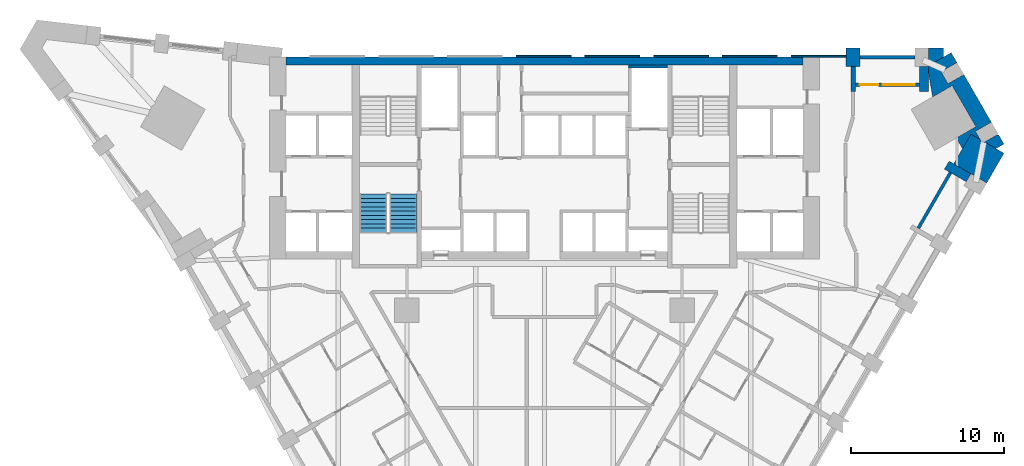
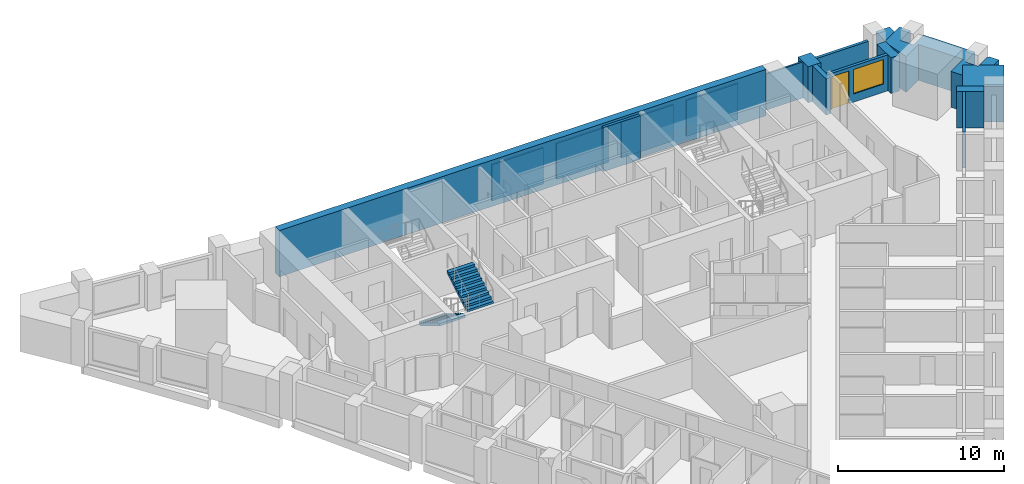
# One storey, part 10 of 12: 18 walls, 2 stair flights, 1 door, 1 window, 2 openings, 1 element without a shape of its own.
"""IFC4 building model written with IfcOpenShell, lengths in metres."""

from ifc_helpers import new_model, si_unit, direction, frame, frame_2d, origin, place, context, subcontext, project, spatial, polyline, rectangle, outline, extrude, faceted_brep, source, transform, mapped, material, layer, layer_set, type_object, element, fill, aggregate, save


model = new_model("IFC4")

# Units and contexts
model_context = context("Model", 3, precision=1e-05, world=origin(), true_north=direction((0.0, 1.0)))
body_context = subcontext(model_context, "Body", "Model", "MODEL_VIEW")
ifc_project = project(units=[si_unit("LENGTHUNIT", "METRE"), si_unit("AREAUNIT", "SQUARE_METRE"), si_unit("VOLUMEUNIT", "CUBIC_METRE"), si_unit("PLANEANGLEUNIT", "RADIAN"), si_unit("MASSUNIT", "GRAM", prefix="KILO")], contexts=[model_context])

# Site, building, storey
site_placement = place(None, origin())
site = spatial("IfcSite", under=ifc_project, at=site_placement, CompositionType="ELEMENT")
building_placement = place(site_placement, origin())
building = spatial("IfcBuilding", under=site, at=building_placement, Name="Calabash Gate Tower", CompositionType="ELEMENT")
storey_placement = place(building_placement, frame((0.0, 0.0, 76.60009765625)))
storey = spatial("IfcBuildingStorey", under=building, at=storey_placement, Name="L15", CompositionType="ELEMENT", Elevation=76.60009765625)

# Walls
ifc_material_1 = material(Name="Terracotta brick masonry, exposed face", Category="masonry")
ifc_layer_1 = layer(ifc_material_1, 2.5)
ifc_layer_set_1 = layer_set([ifc_layer_1], Name="Brick corner mass wall 2500")
wall_type_1 = type_object("IfcWallType", Name="Brick corner mass wall 2500", PredefinedType="SOLIDWALL", material=ifc_layer_set_1)
wall_1_placement = place(storey_placement, origin())
element("IfcWall", 1, at=wall_1_placement, inside=storey, type_object=wall_type_1, Name="Brick corner pier S04 3a", PredefinedType="SOLIDWALL", context=body_context, shape_type="SweptSolid", body=[
    extrude(outline(polyline([(30.06640625, 12.771484375), (28.794921875, 13.505615234375), (28.65234375, 13.42333984375), (28.509765625, 13.670166015625), (27.9013671875, 14.021484375), (26.777099609375, 12.073974609375), (28.942138671875, 10.823974609375), (30.06640625, 12.771484375)])), origin(), (0.0, 0.0, 1.0), 2.6298828125),
])
wall_2_placement = place(storey_placement, origin())
element("IfcWall", 2, at=wall_2_placement, inside=storey, type_object=wall_type_1, Name="Brick corner pier S04 3ba", PredefinedType="SOLIDWALL", context=body_context, shape_type="SweptSolid", body=[
    extrude(outline(polyline([(29.72607421875, 13.9609375), (29.583740234375, 13.9609375), (28.777099609375, 13.495361328125), (28.794921875, 13.505615234375), (29.546875, 13.071533203125), (30.06640625, 13.37158203125), (29.72607421875, 13.9609375)])), origin(), (0.0, 0.0, 1.0), 2.6298828125),
])
wall_3_placement = place(storey_placement, origin())
element("IfcWall", 3, at=wall_3_placement, inside=storey, type_object=wall_type_1, Name="Brick corner pier S04 3bb", PredefinedType="SOLIDWALL", context=body_context, shape_type="SweptSolid", body=[
    extrude(outline(polyline([(26.67431640625, 17.1904296875), (28.224365234375, 14.505615234375), (26.94970703125, 13.769775390625), (27.35302734375, 13.071533203125), (27.9013671875, 14.021484375), (28.509765625, 13.670166015625), (28.202392578125, 14.20263671875), (29.240478515625, 14.802001953125), (27.44384765625, 17.9140625), (26.40234375, 17.3212890625), (25.952392578125, 18.100830078125), (26.990234375, 18.699951171875), (26.61328125, 19.3525390625), (25.054443359375, 18.45263671875), (25.141845703125, 18.45263671875), (25.141845703125, 17.947021484375), (25.399658203125, 16.454345703125), (26.67431640625, 17.1904296875)])), origin(), (0.0, 0.0, 1.0), 2.6298828125),
])
wall_4_placement = place(storey_placement, origin())
element("IfcWall", 4, at=wall_4_placement, inside=storey, type_object=wall_type_1, Name="Brick corner pier S04 3c", PredefinedType="SOLIDWALL", context=body_context, shape_type="SweptSolid", body=[
    extrude(outline(polyline([(26.09375, 19.652587890625), (25.14208984375, 19.652587890625), (25.14208984375, 18.503173828125), (26.09375, 19.052490234375), (26.09375, 19.652587890625)])), origin(), (0.0, 0.0, 1.0), 2.6298828125),
])
ifc_material_2 = material(Name="Terracotta brick masonry, exposed face", Category="masonry")
ifc_layer_2 = layer(ifc_material_2, 1.199951171875)
ifc_layer_set_2 = layer_set([ifc_layer_2], Name="Brick end wall 1200")
wall_type_2 = type_object("IfcWallType", Name="Brick end wall 1200", PredefinedType="SOLIDWALL", material=ifc_layer_set_2)
wall_5_placement = place(storey_placement, origin())
element("IfcWall", 5, at=wall_5_placement, inside=storey, type_object=wall_type_2, Name="Brick pier S04 N4.1", PredefinedType="SOLIDWALL", context=body_context, shape_type="SweptSolid", body=[
    extrude(outline(polyline([(20.641845703125, 19.652587890625), (19.74169921875, 19.652587890625), (19.74169921875, 18.45263671875), (20.641845703125, 18.45263671875), (20.641845703125, 19.652587890625)])), origin(), (0.0, 0.0, 1.0), 2.64990234375),
])
ifc_material_3 = material(Name="Terracotta brick masonry, exposed face", Category="masonry")
ifc_layer_3 = layer(ifc_material_3, 0.300048828125)
ifc_layer_set_3 = layer_set([ifc_layer_3], Name="Brick loggia cheek wall 300")
wall_type_3 = type_object("IfcWallType", Name="Brick loggia cheek wall 300", PredefinedType="SOLIDWALL", material=ifc_layer_set_3)
wall_6_placement = place(storey_placement, frame((27.7529296875, 11.164306640625, 0.0), z_axis=(0.0, 0.0, 1.0), x_axis=(-0.866040211805, 0.499974350878, 0.0)))
element("IfcWall", 6, at=wall_6_placement, inside=storey, type_object=wall_type_3, Name="Loggia cheek S04 SE2.10", PredefinedType="SOLIDWALL", context=body_context, shape_type="SweptSolid", body=[
    extrude(rectangle(XDim=1.64990234375, YDim=0.60009765625, at=frame_2d((0.824951171875, 0.0))), origin(), (0.0, 0.0, 1.0), 2.64990234375),
])
wall_7_placement = place(storey_placement, origin())
element("IfcWall", 7, at=wall_7_placement, inside=storey, type_object=wall_type_3, Name="Loggia cheek S04 N4.0", PredefinedType="SOLIDWALL", context=body_context, shape_type="SweptSolid", body=[
    extrude(outline(polyline([(25.141845703125, 16.802490234375), (25.141845703125, 18.45263671875), (24.541748046875, 18.45263671875), (24.541748046875, 16.802490234375), (25.141845703125, 16.802490234375)])), origin(), (0.0, 0.0, 1.0), 2.6298828125),
])
wall_8_placement = place(storey_placement, origin())
element("IfcWall", 8, at=wall_8_placement, inside=storey, type_object=wall_type_3, Name="Loggia cheek S04 N4.1", PredefinedType="SOLIDWALL", context=body_context, shape_type="SweptSolid", body=[
    extrude(outline(polyline([(20.041748046875, 18.45263671875), (20.041748046875, 16.802490234375), (20.341796875, 16.802490234375), (20.341796875, 18.45263671875), (20.041748046875, 18.45263671875)])), origin(), (0.0, 0.0, 1.0), 2.64990234375),
])
ifc_material_4 = material(Name="Concrete C80/95", Category="concrete")
ifc_layer_4 = layer(ifc_material_4, 0.5)
ifc_layer_set_4 = layer_set([ifc_layer_4], Name="Core wall 500 Concrete C80/95")
wall_type_4 = type_object("IfcWallType", Name="Core wall 500 Concrete C80/95", PredefinedType="SHEAR", material=ifc_layer_set_4)
wall_9_placement = place(storey_placement, frame((-16.89990234375, 18.802490234375, 0.0), z_axis=(0.0, 0.0, 1.0), x_axis=(1.0, 0.0, 0.0)))
element("IfcWall", 9, at=wall_9_placement, inside=storey, type_object=wall_type_4, Name="Core wall Z1-N L15", PredefinedType="SHEAR", context=body_context, shape_type="SweptSolid", body=[
    extrude(rectangle(XDim=33.7998046875, YDim=0.5, at=frame_2d((16.89990234375, 0.0))), origin(), (0.0, 0.0, 1.0), 3.39990234375),
])
ifc_material_5 = material(Name="Concrete C40/50", Category="concrete")
ifc_layer_5 = layer(ifc_material_5, 0.199951171875)
ifc_layer_set_5 = layer_set([ifc_layer_5], Name="Shaft wall 200 Concrete C40/50")
wall_type_5 = type_object("IfcWallType", Name="Shaft wall 200 Concrete C40/50", PredefinedType="SOLIDWALL", material=ifc_layer_set_5)
wall_10_placement = place(storey_placement, frame((5.5, 18.45263671875, 0.0), z_axis=(0.0, 0.0, 1.0), x_axis=(1.0, 0.0, 0.0)))
element("IfcWall", 10, at=wall_10_placement, inside=storey, type_object=wall_type_5, Name="Shaft wall", PredefinedType="SOLIDWALL", context=body_context, shape_type="SweptSolid", body=[
    extrude(rectangle(XDim=2.550048828125, YDim=0.199951171875, at=frame_2d((1.27490234375, 0.0))), origin(), (0.0, 0.0, 1.0), 3.22998046875),
])
ifc_material_6 = material(Name="Terracotta brick masonry, perforated", Category="masonry")
ifc_layer_6 = layer(ifc_material_6, 0.1201171875)
ifc_layer_set_6 = layer_set([ifc_layer_6], Name="Terracotta jaali cladding B 120")
wall_type_6 = type_object("IfcWallType", Name="Terracotta jaali cladding B 120", PredefinedType="SOLIDWALL", material=ifc_layer_set_6)
wall_11_placement = place(storey_placement, origin())
element("IfcWall", 11, at=wall_11_placement, inside=storey, type_object=wall_type_6, Name="Jaali cladding S04 N4.3", PredefinedType="SOLIDWALL", context=body_context, shape_type="SweptSolid", body=[
    extrude(outline(polyline([(11.641845703125, 19.172607421875), (11.641845703125, 19.052490234375), (15.24169921875, 19.052490234375), (15.24169921875, 19.172607421875), (11.641845703125, 19.172607421875)])), origin(), (0.0, 0.0, 1.0), 2.64990234375),
])
wall_12_placement = place(storey_placement, origin())
element("IfcWall", 12, at=wall_12_placement, inside=storey, type_object=wall_type_6, Name="Jaali cladding S04 N4.5", PredefinedType="SOLIDWALL", context=body_context, shape_type="SweptSolid", body=[
    extrude(outline(polyline([(2.641845703125, 19.172607421875), (2.641845703125, 19.052490234375), (6.24169921875, 19.052490234375), (6.24169921875, 19.172607421875), (2.641845703125, 19.172607421875)])), origin(), (0.0, 0.0, 1.0), 2.64990234375),
])
ifc_material_7 = material(Name="Terracotta brick masonry, perforated", Category="masonry")
ifc_layer_7 = layer(ifc_material_7, 0.199951171875)
ifc_layer_set_7 = layer_set([ifc_layer_7], Name="Terracotta jaali screen B")
wall_type_7 = type_object("IfcWallType", Name="Terracotta jaali screen B", PredefinedType="SOLIDWALL", material=ifc_layer_set_7)
wall_13_placement = place(storey_placement, frame((24.24169921875, 19.052490234375, 0.0), z_axis=(0.0, 0.0, 1.0), x_axis=(-1.0, 0.0, 0.0)))
element("IfcWall", 13, at=wall_13_placement, inside=storey, type_object=wall_type_7, Name="SCREEN B S04 N4.1", PredefinedType="SOLIDWALL", context=body_context, shape_type="SweptSolid", body=[
    extrude(rectangle(XDim=3.599853515625, YDim=0.199951171875, at=frame_2d((1.7998046875, 0.0))), origin(), (0.0, 0.0, 1.0), 2.64990234375),
])
ifc_material_8 = material(Name="Terracotta louvre blades in an aluminium frame", Category="masonry")
ifc_layer_8 = layer(ifc_material_8, 0.1201171875)
ifc_layer_set_8 = layer_set([ifc_layer_8], Name="Terracotta vent louvre cladding 120")
wall_type_8 = type_object("IfcWallType", Name="Terracotta vent louvre cladding 120", PredefinedType="ELEMENTEDWALL", material=ifc_layer_set_8)
wall_14_placement = place(storey_placement, origin())
element("IfcWall", 14, at=wall_14_placement, inside=storey, type_object=wall_type_8, Name="Vent louvre cladding S04 N4.2", PredefinedType="ELEMENTEDWALL", context=body_context, shape_type="SweptSolid", body=[
    extrude(outline(polyline([(16.141845703125, 19.172607421875), (16.141845703125, 19.052490234375), (19.7412109375, 19.052490234375), (19.7412109375, 19.172607421875), (16.141845703125, 19.172607421875)])), origin(), (0.0, 0.0, 1.0), 2.64990234375),
])
wall_15_placement = place(storey_placement, origin())
element("IfcWall", 15, at=wall_15_placement, inside=storey, type_object=wall_type_8, Name="Vent louvre cladding S04 N4.4", PredefinedType="ELEMENTEDWALL", context=body_context, shape_type="SweptSolid", body=[
    extrude(outline(polyline([(7.141845703125, 19.172607421875), (7.141845703125, 19.052490234375), (10.74169921875, 19.052490234375), (10.74169921875, 19.172607421875), (7.141845703125, 19.172607421875)])), origin(), (0.0, 0.0, 1.0), 2.64990234375),
])
wall_16_placement = place(storey_placement, origin())
element("IfcWall", 16, at=wall_16_placement, inside=storey, type_object=wall_type_8, Name="Vent louvre cladding S04 N4.6", PredefinedType="ELEMENTEDWALL", context=body_context, shape_type="SweptSolid", body=[
    extrude(outline(polyline([(-1.858154296875, 19.172607421875), (-1.858154296875, 19.052490234375), (1.74169921875, 19.052490234375), (1.74169921875, 19.172607421875), (-1.858154296875, 19.172607421875)])), origin(), (0.0, 0.0, 1.0), 2.64990234375),
])
ifc_material_9 = material(Name="Aluminium framed window wall with insulated spandrel", Category="aluminium")
ifc_layer_9 = layer(ifc_material_9, 0.199951171875)
ifc_layer_set_9 = layer_set([ifc_layer_9], Name="Window wall 200")
wall_type_9 = type_object("IfcWallType", Name="Window wall 200", PredefinedType="ELEMENTEDWALL", material=ifc_layer_set_9)
wall_17_placement = place(storey_placement, frame((24.463623046875, 7.8671875, 0.0), z_axis=(0.0, 0.0, 1.0), x_axis=(0.500027713859, 0.866009402589, 0.0)))
element("IfcWall", 17, at=wall_17_placement, inside=storey, type_object=wall_type_9, Name="Window wall S04 SE2.10", PredefinedType="ELEMENTEDWALL", context=body_context, shape_type="SweptSolid", body=[
    extrude(rectangle(XDim=4.199951171875, YDim=0.199951171875, at=frame_2d((2.10009765625, 0.0))), origin(), (0.0, 0.0, 1.0), 2.64990234375),
])

# Wall, openings, door, window
wall_18_placement = place(storey_placement, frame((24.541748046875, 17.25244140625, 0.0), z_axis=(0.0, 0.0, 1.0), x_axis=(-1.0, 0.0, 0.0)))
wall_18 = element("IfcWall", 18, at=wall_18_placement, inside=storey, type_object=wall_type_9, Name="Window wall S04 N4.1", PredefinedType="ELEMENTEDWALL", context=body_context, shape_type="SweptSolid", body=[
    extrude(rectangle(XDim=4.199951171875, YDim=0.199951171875, at=frame_2d((2.10009765625, 0.0))), origin(), (0.0, 0.0, 1.0), 2.64990234375),
])
opening_1_placement = place(wall_18_placement, frame((0.300048828125, 0.0, 0.60009765625)))
opening_1 = element("IfcOpeningElement", 19, at=opening_1_placement, cuts=wall_18, Name="Opening HW1", PredefinedType="OPENING", context=body_context, shape_type="SweptSolid", body=[
    extrude(rectangle(XDim=2.10009765625, YDim=1.800048828125, at=frame_2d((1.050048828125, 0.89990234375))), frame((0.0, 0.10986328125, 0.0), z_axis=(0.0, -1.0, 0.0), x_axis=(1.0, 0.0, 0.0)), (0.0, 0.0, 1.0), 0.219970703125),
])
opening_2_placement = place(wall_18_placement, frame((2.699951171875, 0.0, 0.0)))
opening_2 = element("IfcOpeningElement", 20, at=opening_2_placement, cuts=wall_18, Name="Opening H4-017", PredefinedType="OPENING", context=body_context, shape_type="SweptSolid", body=[
    extrude(rectangle(XDim=1.199951171875, YDim=2.39990234375, at=frame_2d((0.60009765625, 1.199951171875))), frame((0.0, 0.10986328125, 0.0), z_axis=(0.0, -1.0, 0.0), x_axis=(1.0, 0.0, 0.0)), (0.0, 0.0, 1.0), 0.219970703125),
])
ifc_material_10 = material(Name="Anodised aluminium frame, bronze finish, impact-rated laminated clear glazing", Category="aluminium")
door_type = type_object("IfcDoorType", Name="Loggia door DH1 1200x2400", OperationType="SLIDING_TO_LEFT", PredefinedType="DOOR", material=ifc_material_10)
door_placement = place(opening_2_placement, origin())
door = element("IfcDoor", 21, at=door_placement, inside=storey, type_object=door_type, Name="Loggia door S04 N4.1", OperationType="SINGLE_SWING_LEFT", OverallHeight=2.39990234375, OverallWidth=1.199951171875, PredefinedType="DOOR", context=body_context, shape_type="SweptSolid", body=[
    extrude(rectangle(XDim=1.199951171875, YDim=2.39990234375, at=frame_2d((0.60009765625, 1.199951171875))), frame((0.0, 0.02490234375, 0.0), z_axis=(0.0, -1.0, 0.0), x_axis=(1.0, 0.0, 0.0)), (0.0, 0.0, 1.0), 0.050048828125),
])
fill(opening_2, door)
ifc_material_11 = material(Name="Anodised aluminium frame, bronze finish, impact-rated laminated clear glazing", Category="aluminium")
window_type = type_object("IfcWindowType", Name="Window HW1 2100x1800", PartitioningType="DOUBLE_PANEL_VERTICAL", PredefinedType="WINDOW", material=ifc_material_11)
window_placement = place(opening_1_placement, origin())
window = element("IfcWindow", 22, at=window_placement, inside=storey, type_object=window_type, Name="Window HW1 S04 N4.1", OverallHeight=1.800048828125, OverallWidth=2.10009765625, PartitioningType="SINGLE_PANEL", PredefinedType="WINDOW", context=body_context, shape_type="SweptSolid", body=[
    extrude(rectangle(XDim=2.10009765625, YDim=1.800048828125, at=frame_2d((1.050048828125, 0.89990234375))), frame((0.0, 0.030029296875, 0.0), z_axis=(0.0, -1.0, 0.0), x_axis=(1.0, 0.0, 0.0)), (0.0, 0.0, 1.0), 0.06005859375),
])
fill(opening_1, window)

# Stair, stair flights
ifc_material_12 = material(Name="Concrete C40/50", Category="concrete")
stair_type = type_object("IfcStairType", Name="Exit stair 20 risers of 170 mm", PredefinedType="HALF_TURN_STAIR", material=ifc_material_12)
stair_placement = place(storey_placement, origin())
stair = element("IfcStair", 23, at=stair_placement, inside=storey, type_object=stair_type, Name="L15 Exit stair ST2", PredefinedType="HALF_TURN_STAIR")
ifc_material_13 = material(Name="Concrete C40/50", Category="concrete")
stair_flight_type = type_object("IfcStairFlightType", Name="Exit stair flight SFL", PredefinedType="STRAIGHT", material=ifc_material_13)
shared_shape = source(origin(), body_context, "Body", "Brep", [
    faceted_brep([(-0.0009765625, -0.89990234375, 0.0), (0.2880859375, -0.89990234375, 0.0), (2.511962890625, -0.89990234375, 1.3544921875), (-0.0009765625, 0.89990234375, 0.0), (2.511962890625, 0.89990234375, 1.3544921875), (0.2880859375, 0.89990234375, 0.0), (2.511962890625, -0.89990234375, 1.5419921875), (2.510986328125, -0.89990234375, 1.5419921875), (2.510986328125, 0.89990234375, 1.5419921875), (2.511962890625, 0.89990234375, 1.5419921875), (2.510986328125, -0.89990234375, 1.530029296875), (2.510986328125, 0.89990234375, 1.530029296875), (2.23193359375, -0.89990234375, 1.530029296875), (2.23193359375, 0.89990234375, 1.530029296875), (2.23193359375, -0.89990234375, 1.360107421875), (2.23193359375, 0.89990234375, 1.360107421875), (1.952880859375, -0.89990234375, 1.360107421875), (1.952880859375, 0.89990234375, 1.360107421875), (1.952880859375, -0.89990234375, 1.18994140625), (1.952880859375, 0.89990234375, 1.18994140625), (1.674072265625, -0.89990234375, 1.18994140625), (1.674072265625, -0.89990234375, 1.02001953125), (1.674072265625, 0.89990234375, 1.02001953125), (1.674072265625, 0.89990234375, 1.18994140625), (1.39501953125, -0.89990234375, 1.02001953125), (1.39501953125, -0.89990234375, 0.85009765625), (1.39501953125, 0.89990234375, 0.85009765625), (1.39501953125, 0.89990234375, 1.02001953125), (1.115966796875, -0.89990234375, 0.85009765625), (1.115966796875, -0.89990234375, 0.679931640625), (1.115966796875, 0.89990234375, 0.679931640625), (1.115966796875, 0.89990234375, 0.85009765625), (0.8369140625, -0.89990234375, 0.679931640625), (0.8369140625, -0.89990234375, 0.510009765625), (0.8369140625, 0.89990234375, 0.510009765625), (0.8369140625, 0.89990234375, 0.679931640625), (0.55810546875, -0.89990234375, 0.510009765625), (0.55810546875, -0.89990234375, 0.340087890625), (0.55810546875, 0.89990234375, 0.340087890625), (0.55810546875, 0.89990234375, 0.510009765625), (0.279052734375, -0.89990234375, 0.340087890625), (0.279052734375, -0.89990234375, 0.169921875), (0.279052734375, 0.89990234375, 0.169921875), (0.279052734375, 0.89990234375, 0.340087890625), (-0.0009765625, -0.89990234375, 0.169921875), (-0.0009765625, 0.89990234375, 0.169921875), (0.2880859375, -0.360107421875, 0.0), (2.511962890625, -0.360107421875, 1.3544921875), (0.2880859375, -0.179931640625, 0.0), (2.511962890625, -0.179931640625, 1.3544921875), (0.2880859375, 0.0, 0.0), (2.511962890625, 0.0, 1.3544921875), (0.2880859375, 0.179931640625, 0.0), (2.511962890625, 0.179931640625, 1.3544921875), (0.2880859375, 0.360107421875, 0.0), (2.511962890625, 0.360107421875, 1.3544921875), (2.511962890625, -0.360107421875, 1.5419921875), (2.511962890625, -0.179931640625, 1.5419921875), (2.511962890625, 0.0, 1.5419921875), (2.511962890625, 0.179931640625, 1.5419921875), (2.511962890625, 0.360107421875, 1.5419921875), (2.510986328125, -0.360107421875, 1.5419921875), (2.510986328125, -0.179931640625, 1.5419921875), (2.510986328125, 0.0, 1.5419921875), (2.510986328125, 0.179931640625, 1.5419921875), (2.510986328125, 0.360107421875, 1.5419921875), (2.510986328125, -0.360107421875, 1.530029296875), (2.510986328125, -0.179931640625, 1.530029296875), (2.510986328125, 0.0, 1.530029296875), (2.510986328125, 0.179931640625, 1.530029296875), (2.510986328125, 0.360107421875, 1.530029296875), (2.23193359375, -0.360107421875, 1.530029296875), (2.23193359375, -0.179931640625, 1.530029296875), (2.23193359375, 0.0, 1.530029296875), (2.23193359375, 0.179931640625, 1.530029296875), (2.23193359375, 0.360107421875, 1.530029296875), (2.23193359375, -0.360107421875, 1.360107421875), (2.23193359375, -0.179931640625, 1.360107421875), (2.23193359375, 0.0, 1.360107421875), (2.23193359375, 0.179931640625, 1.360107421875), (2.23193359375, 0.360107421875, 1.360107421875), (1.952880859375, -0.360107421875, 1.360107421875), (1.952880859375, -0.179931640625, 1.360107421875), (1.952880859375, 0.0, 1.360107421875), (1.952880859375, 0.179931640625, 1.360107421875), (1.952880859375, 0.360107421875, 1.360107421875), (1.952880859375, -0.360107421875, 1.18994140625), (1.952880859375, -0.179931640625, 1.18994140625), (1.952880859375, 0.0, 1.18994140625), (1.952880859375, 0.179931640625, 1.18994140625), (1.952880859375, 0.360107421875, 1.18994140625), (1.674072265625, -0.360107421875, 1.18994140625), (1.674072265625, -0.179931640625, 1.18994140625), (1.674072265625, 0.0, 1.18994140625), (1.674072265625, 0.179931640625, 1.18994140625), (1.674072265625, 0.360107421875, 1.18994140625), (1.674072265625, -0.360107421875, 1.02001953125), (1.674072265625, -0.179931640625, 1.02001953125), (1.674072265625, 0.0, 1.02001953125), (1.674072265625, 0.179931640625, 1.02001953125), (1.674072265625, 0.360107421875, 1.02001953125), (1.39501953125, -0.360107421875, 1.02001953125), (1.39501953125, -0.179931640625, 1.02001953125), (1.39501953125, 0.0, 1.02001953125), (1.39501953125, 0.179931640625, 1.02001953125), (1.39501953125, 0.360107421875, 1.02001953125), (1.39501953125, -0.360107421875, 0.85009765625), (1.39501953125, -0.179931640625, 0.85009765625), (1.39501953125, 0.0, 0.85009765625), (1.39501953125, 0.179931640625, 0.85009765625), (1.39501953125, 0.360107421875, 0.85009765625), (1.115966796875, -0.360107421875, 0.85009765625), (1.115966796875, -0.179931640625, 0.85009765625), (1.115966796875, 0.0, 0.85009765625), (1.115966796875, 0.179931640625, 0.85009765625), (1.115966796875, 0.360107421875, 0.85009765625), (1.115966796875, -0.360107421875, 0.679931640625), (1.115966796875, -0.179931640625, 0.679931640625), (1.115966796875, 0.0, 0.679931640625), (1.115966796875, 0.179931640625, 0.679931640625), (1.115966796875, 0.360107421875, 0.679931640625), (0.8369140625, -0.360107421875, 0.679931640625), (0.8369140625, -0.179931640625, 0.679931640625), (0.8369140625, 0.0, 0.679931640625), (0.8369140625, 0.179931640625, 0.679931640625), (0.8369140625, 0.360107421875, 0.679931640625), (0.8369140625, -0.360107421875, 0.510009765625), (0.8369140625, -0.179931640625, 0.510009765625), (0.8369140625, 0.0, 0.510009765625), (0.8369140625, 0.179931640625, 0.510009765625), (0.8369140625, 0.360107421875, 0.510009765625), (0.55810546875, -0.360107421875, 0.510009765625), (0.55810546875, -0.179931640625, 0.510009765625), (0.55810546875, 0.0, 0.510009765625), (0.55810546875, 0.179931640625, 0.510009765625), (0.55810546875, 0.360107421875, 0.510009765625), (0.55810546875, -0.360107421875, 0.340087890625), (0.55810546875, -0.179931640625, 0.340087890625), (0.55810546875, 0.0, 0.340087890625), (0.55810546875, 0.179931640625, 0.340087890625), (0.55810546875, 0.360107421875, 0.340087890625), (0.279052734375, -0.360107421875, 0.340087890625), (0.279052734375, -0.179931640625, 0.340087890625), (0.279052734375, 0.0, 0.340087890625), (0.279052734375, 0.179931640625, 0.340087890625), (0.279052734375, 0.360107421875, 0.340087890625), (0.279052734375, -0.360107421875, 0.169921875), (0.279052734375, -0.179931640625, 0.169921875), (0.279052734375, 0.0, 0.169921875), (0.279052734375, 0.179931640625, 0.169921875), (0.279052734375, 0.360107421875, 0.169921875), (-0.0009765625, -0.360107421875, 0.169921875), (-0.0009765625, -0.179931640625, 0.169921875), (-0.0009765625, 0.0, 0.169921875), (-0.0009765625, 0.179931640625, 0.169921875), (-0.0009765625, 0.360107421875, 0.169921875), (-0.0009765625, -0.360107421875, 0.0), (-0.0009765625, -0.179931640625, 0.0), (-0.0009765625, 0.0, 0.0), (-0.0009765625, 0.179931640625, 0.0), (-0.0009765625, 0.360107421875, 0.0)], [[[0, 1, 2]], [[3, 4, 5]], [[2, 6, 7]], [[4, 8, 9]], [[2, 7, 10]], [[4, 11, 8]], [[2, 10, 12]], [[4, 13, 11]], [[2, 12, 14]], [[4, 15, 13]], [[2, 14, 16]], [[4, 17, 15]], [[2, 16, 18]], [[4, 19, 17]], [[18, 20, 21]], [[19, 22, 23]], [[2, 18, 21]], [[4, 22, 19]], [[21, 24, 25]], [[22, 26, 27]], [[2, 21, 25]], [[4, 26, 22]], [[25, 28, 29]], [[26, 30, 31]], [[2, 25, 29]], [[4, 30, 26]], [[29, 32, 33]], [[30, 34, 35]], [[2, 29, 33]], [[4, 34, 30]], [[33, 36, 37]], [[34, 38, 39]], [[2, 33, 37]], [[4, 38, 34]], [[37, 40, 41]], [[38, 42, 43]], [[2, 37, 41]], [[4, 42, 38]], [[0, 2, 41]], [[3, 42, 4]], [[41, 44, 0]], [[42, 3, 45]], [[1, 46, 2]], [[46, 47, 2]], [[46, 48, 47]], [[48, 49, 47]], [[48, 50, 49]], [[50, 51, 49]], [[50, 52, 53]], [[50, 53, 51]], [[52, 54, 55]], [[52, 55, 53]], [[54, 5, 4]], [[54, 4, 55]], [[2, 47, 6]], [[47, 56, 6]], [[47, 49, 56]], [[49, 57, 56]], [[49, 51, 57]], [[51, 58, 57]], [[51, 53, 59]], [[51, 59, 58]], [[53, 55, 60]], [[53, 60, 59]], [[55, 4, 9]], [[55, 9, 60]], [[6, 56, 7]], [[56, 61, 7]], [[56, 57, 61]], [[57, 62, 61]], [[57, 58, 62]], [[58, 63, 62]], [[58, 59, 64]], [[58, 64, 63]], [[59, 60, 65]], [[59, 65, 64]], [[60, 9, 8]], [[60, 8, 65]], [[7, 61, 10]], [[61, 66, 10]], [[61, 62, 66]], [[62, 67, 66]], [[62, 63, 67]], [[63, 68, 67]], [[63, 64, 69]], [[63, 69, 68]], [[64, 65, 70]], [[64, 70, 69]], [[65, 8, 11]], [[65, 11, 70]], [[10, 66, 12]], [[66, 71, 12]], [[66, 67, 71]], [[67, 72, 71]], [[67, 68, 72]], [[68, 73, 72]], [[68, 69, 74]], [[68, 74, 73]], [[69, 70, 75]], [[69, 75, 74]], [[70, 11, 13]], [[70, 13, 75]], [[12, 71, 14]], [[71, 76, 14]], [[71, 72, 76]], [[72, 77, 76]], [[72, 73, 77]], [[73, 78, 77]], [[73, 74, 79]], [[73, 79, 78]], [[74, 75, 80]], [[74, 80, 79]], [[75, 13, 15]], [[75, 15, 80]], [[14, 76, 16]], [[76, 81, 16]], [[76, 77, 81]], [[77, 82, 81]], [[77, 78, 82]], [[78, 83, 82]], [[78, 79, 84]], [[78, 84, 83]], [[79, 80, 85]], [[79, 85, 84]], [[80, 15, 17]], [[80, 17, 85]], [[16, 81, 18]], [[81, 86, 18]], [[81, 82, 86]], [[82, 87, 86]], [[82, 83, 87]], [[83, 88, 87]], [[83, 84, 89]], [[83, 89, 88]], [[84, 85, 90]], [[84, 90, 89]], [[85, 17, 19]], [[85, 19, 90]], [[18, 86, 20]], [[86, 91, 20]], [[86, 87, 91]], [[87, 92, 91]], [[87, 88, 92]], [[88, 93, 92]], [[88, 89, 94]], [[88, 94, 93]], [[89, 90, 95]], [[89, 95, 94]], [[90, 19, 23]], [[90, 23, 95]], [[20, 91, 21]], [[91, 96, 21]], [[91, 92, 96]], [[92, 97, 96]], [[92, 93, 97]], [[93, 98, 97]], [[93, 94, 99]], [[93, 99, 98]], [[94, 95, 100]], [[94, 100, 99]], [[95, 23, 22]], [[95, 22, 100]], [[21, 96, 24]], [[96, 101, 24]], [[96, 97, 101]], [[97, 102, 101]], [[97, 98, 102]], [[98, 103, 102]], [[98, 99, 104]], [[98, 104, 103]], [[99, 100, 105]], [[99, 105, 104]], [[100, 22, 27]], [[100, 27, 105]], [[24, 101, 25]], [[101, 106, 25]], [[101, 102, 106]], [[102, 107, 106]], [[102, 103, 107]], [[103, 108, 107]], [[103, 104, 109]], [[103, 109, 108]], [[104, 105, 110]], [[104, 110, 109]], [[105, 27, 26]], [[105, 26, 110]], [[25, 106, 28]], [[106, 111, 28]], [[106, 107, 111]], [[107, 112, 111]], [[107, 108, 112]], [[108, 113, 112]], [[108, 109, 114]], [[108, 114, 113]], [[109, 110, 115]], [[109, 115, 114]], [[110, 26, 31]], [[110, 31, 115]], [[28, 111, 29]], [[111, 116, 29]], [[111, 112, 116]], [[112, 117, 116]], [[112, 113, 117]], [[113, 118, 117]], [[113, 114, 119]], [[113, 119, 118]], [[114, 115, 120]], [[114, 120, 119]], [[115, 31, 30]], [[115, 30, 120]], [[29, 116, 32]], [[116, 121, 32]], [[116, 117, 121]], [[117, 122, 121]], [[117, 118, 122]], [[118, 123, 122]], [[118, 119, 124]], [[118, 124, 123]], [[119, 120, 125]], [[119, 125, 124]], [[120, 30, 35]], [[120, 35, 125]], [[32, 121, 33]], [[121, 126, 33]], [[121, 122, 126]], [[122, 127, 126]], [[122, 123, 127]], [[123, 128, 127]], [[123, 124, 129]], [[123, 129, 128]], [[124, 125, 130]], [[124, 130, 129]], [[125, 35, 34]], [[125, 34, 130]], [[33, 126, 36]], [[126, 131, 36]], [[126, 127, 131]], [[127, 132, 131]], [[127, 128, 132]], [[128, 133, 132]], [[128, 129, 134]], [[128, 134, 133]], [[129, 130, 135]], [[129, 135, 134]], [[130, 34, 39]], [[130, 39, 135]], [[36, 131, 37]], [[131, 136, 37]], [[131, 132, 136]], [[132, 137, 136]], [[132, 133, 137]], [[133, 138, 137]], [[133, 134, 139]], [[133, 139, 138]], [[134, 135, 140]], [[134, 140, 139]], [[135, 39, 38]], [[135, 38, 140]], [[37, 136, 40]], [[136, 141, 40]], [[136, 137, 141]], [[137, 142, 141]], [[137, 138, 142]], [[138, 143, 142]], [[138, 139, 144]], [[138, 144, 143]], [[139, 140, 145]], [[139, 145, 144]], [[140, 38, 43]], [[140, 43, 145]], [[40, 141, 41]], [[141, 146, 41]], [[141, 142, 146]], [[142, 147, 146]], [[142, 143, 147]], [[143, 148, 147]], [[143, 144, 149]], [[143, 149, 148]], [[144, 145, 150]], [[144, 150, 149]], [[145, 43, 42]], [[145, 42, 150]], [[41, 146, 44]], [[146, 151, 44]], [[146, 147, 151]], [[147, 152, 151]], [[147, 148, 152]], [[148, 153, 152]], [[148, 149, 154]], [[148, 154, 153]], [[149, 150, 155]], [[149, 155, 154]], [[150, 42, 45]], [[150, 45, 155]], [[44, 151, 0]], [[151, 156, 0]], [[151, 152, 156]], [[152, 157, 156]], [[152, 153, 157]], [[153, 158, 157]], [[153, 154, 159]], [[153, 159, 158]], [[154, 155, 160]], [[154, 160, 159]], [[155, 45, 3]], [[155, 3, 160]], [[0, 156, 1]], [[156, 46, 1]], [[156, 157, 46]], [[157, 48, 46]], [[157, 158, 48]], [[158, 50, 48]], [[158, 159, 52]], [[158, 52, 50]], [[159, 160, 54]], [[159, 54, 52]], [[160, 3, 5]], [[160, 5, 54]]]),
])
stair_flight_1_placement = place(storey_placement, frame((-11.199951171875, 10.1025390625, 0.0), z_axis=(0.0, 0.0, 1.0), x_axis=(0.0, -1.0, 0.0)))
stair_flight_1 = element("IfcStairFlight", 24, at=stair_flight_1_placement, type_object=stair_flight_type, Name="ST2 flight 1", NumberOfRisers=10, NumberOfTreads=9, PredefinedType="STRAIGHT", RiserHeight=0.17, TreadLength=0.279, context=body_context, shape_type="MappedRepresentation", body=[
    mapped(shared_shape, transform((0.0, 0.0, 0.0), scale=1.0)),
])
stair_flight_2_placement = place(storey_placement, frame((-9.25, 7.591552734375, 1.699951171875), z_axis=(0.0, 0.0, 1.0), x_axis=(0.0, 1.0, 0.0)))
stair_flight_2 = element("IfcStairFlight", 25, at=stair_flight_2_placement, type_object=stair_flight_type, Name="ST2 flight 2", NumberOfRisers=10, NumberOfTreads=9, PredefinedType="STRAIGHT", RiserHeight=0.17, TreadLength=0.279, context=body_context, shape_type="MappedRepresentation", body=[
    mapped(shared_shape, transform((0.0, 0.0, 0.0), scale=1.0)),
])
aggregate(stair, [stair_flight_1, stair_flight_2])

save(model, "model.ifc")
